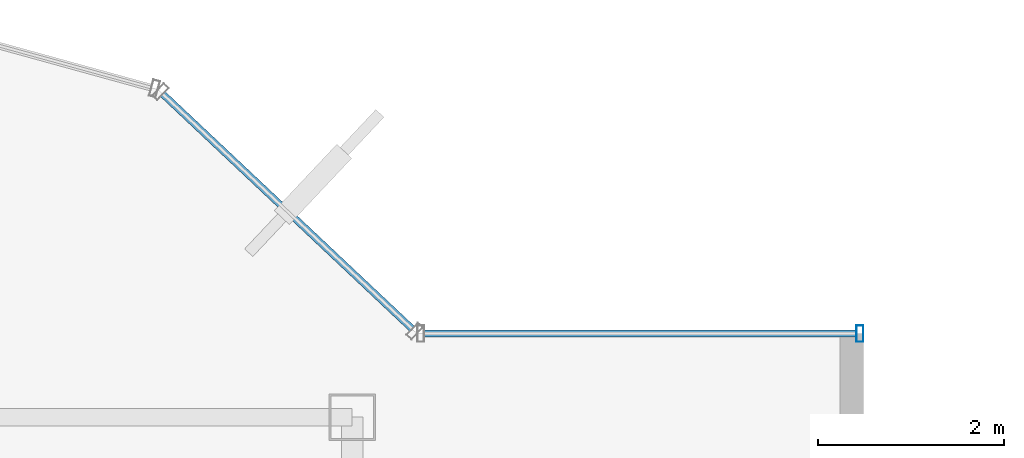
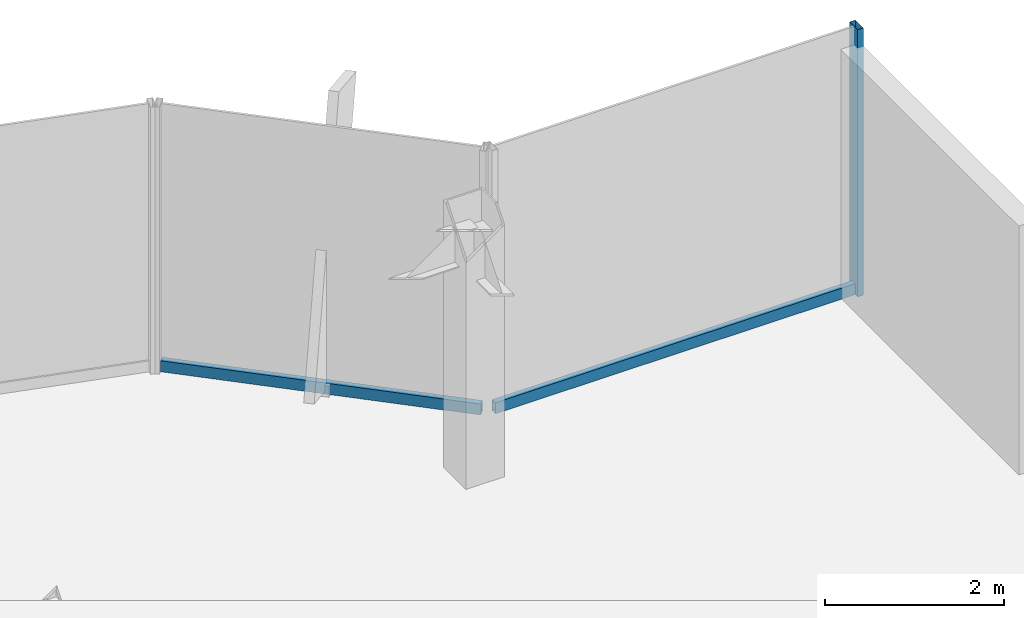
# One storey, part 15 of 22: 3 members, 2 elements without a shape of their own.
"""IFC4 building model written with IfcOpenShell, lengths in metres."""

from ifc_helpers import new_model, si_unit, derived_unit, direction, frame, origin, origin_2d, place, context, subcontext, project, spatial, hollow_rectangle, extrude, source, transform, mapped, material, material_profile, profile_set, type_object, element, aggregate, save


model = new_model("IFC4")

# Units and contexts
model_context = context("Model", 3, precision=1e-05, world=origin(), true_north=direction((0.0, 1.0)))
body_context = subcontext(model_context, "Body", "Model", "MODEL_VIEW")
ifc_project = project(units=[si_unit("LENGTHUNIT", "METRE"), si_unit("AREAUNIT", "SQUARE_METRE"), si_unit("VOLUMEUNIT", "CUBIC_METRE"), si_unit("PLANEANGLEUNIT", "RADIAN"), si_unit("MASSUNIT", "GRAM", prefix="KILO"), derived_unit("THERMALTRANSMITTANCEUNIT", [(si_unit("POWERUNIT", "WATT"), 1), (si_unit("LENGTHUNIT", "METRE"), -2), (si_unit("THERMODYNAMICTEMPERATUREUNIT", "KELVIN"), -1)])], contexts=[model_context])

# Site, building, storey
site_placement = place(None, origin())
site = spatial("IfcSite", under=ifc_project, at=site_placement, CompositionType="ELEMENT")
building_placement = place(site_placement, origin())
building = spatial("IfcBuilding", under=site, at=building_placement, Name="Skarnbrae Concourse Arena and Tower", CompositionType="ELEMENT")
storey_placement = place(building_placement, frame((0.0, 0.0, 192.25)))
storey = spatial("IfcBuildingStorey", under=building, at=storey_placement, Name="L49", CompositionType="ELEMENT", Elevation=192.25)

# Curtain wall, members
ifc_material = material(Name="Bronze anodised aluminium 6063-T6", Category="aluminium")
curtain_wall_type = type_object("IfcCurtainWallType", Name="CW-SYS-05-HIGHZONE", PredefinedType="USERDEFINED", material=ifc_material)
curtain_wall_1_placement = place(storey_placement, origin())
curtain_wall_1 = element("IfcCurtainWall", 1, at=curtain_wall_1_placement, inside=storey, type_object=curtain_wall_type, Name="L49 Unitised curtain wall CW-L49-E07", ObjectType="UNITISED CURTAIN WALL", PredefinedType="USERDEFINED")
ifc_material_profile_1 = material_profile(ifc_material, hollow_rectangle(XDim=0.074951171875, YDim=0.179931640625, WallThickness=0.00390625, at=origin_2d()), Name="ALU-MULL-75X180")
ifc_profile_set_1 = profile_set([ifc_material_profile_1], Name="Bronze anodised aluminium 6063-T6")
member_type_1 = type_object("IfcMemberType", Name="CWM-CW-05", PredefinedType="MULLION", material=ifc_profile_set_1)
shared_shape_1 = source(origin(), body_context, "Body", "SweptSolid", [
    extrude(hollow_rectangle(XDim=0.074951171875, YDim=0.179931640625, WallThickness=0.00390625, at=origin_2d()), origin(), (0.0, 0.0, 1.0), 3.64990234375),
])
member_1_placement = place(storey_placement, frame((38.96240234375, 35.300048828125, 0.0), z_axis=(0.0, 0.0, 1.0), x_axis=(-1.0, 0.0, 0.0)))
member_1 = element("IfcMember", 2, at=member_1_placement, type_object=member_type_1, Name="CW-L49-E07 Mullion 1", PredefinedType="MULLION", context=body_context, shape_type="MappedRepresentation", body=[
    mapped(shared_shape_1, transform((0.0, 0.0, 0.0))),
])
ifc_material_profile_2 = material_profile(ifc_material, hollow_rectangle(XDim=0.074951171875, YDim=0.14990234375, WallThickness=0.00390625, at=origin_2d()), Name="ALU-TRAN-75X150")
ifc_profile_set_2 = profile_set([ifc_material_profile_2], Name="Bronze anodised aluminium 6063-T6")
member_type_2 = type_object("IfcMemberType", Name="CWT-CW-05", PredefinedType="USERDEFINED", material=ifc_profile_set_2)
shared_shape_2 = source(origin(), body_context, "Body", "SweptSolid", [
    extrude(hollow_rectangle(XDim=0.074951171875, YDim=0.14990234375, WallThickness=0.00390625, at=origin_2d()), origin(), (0.0, 0.0, 1.0), 4.650146484375),
])
member_2_placement = place(storey_placement, frame((38.925048828125, 35.300048828125, 0.074951171875), z_axis=(-1.0, 0.0, 0.0), x_axis=(0.0, -1.0, 0.0)))
member_2 = element("IfcMember", 3, at=member_2_placement, type_object=member_type_2, Name="CW-L49-E07 Transom 1", ObjectType="TRANSOM", PredefinedType="USERDEFINED", context=body_context, shape_type="MappedRepresentation", body=[
    mapped(shared_shape_2, transform((0.0, 0.0, 0.0))),
])
aggregate(curtain_wall_1, [member_1, member_2])

# Curtain wall, member
curtain_wall_2_placement = place(storey_placement, origin())
curtain_wall_2 = element("IfcCurtainWall", 4, at=curtain_wall_2_placement, inside=storey, type_object=curtain_wall_type, Name="L49 Unitised curtain wall CW-L49-E08", ObjectType="UNITISED CURTAIN WALL", PredefinedType="USERDEFINED")
shared_shape_3 = source(origin(), body_context, "Body", "SweptSolid", [
    extrude(hollow_rectangle(XDim=0.074951171875, YDim=0.14990234375, WallThickness=0.00390625, at=origin_2d()), origin(), (0.0, 0.0, 1.0), 3.68212890625),
])
member_3_placement = place(storey_placement, frame((34.1455078125, 35.351318359375, 0.074951171875), z_axis=(-0.728133808476, 0.685435012933, 0.0), x_axis=(-0.685435012933, -0.728133808476, 0.0)))
member_3 = element("IfcMember", 5, at=member_3_placement, type_object=member_type_2, Name="CW-L49-E08 Transom 1", ObjectType="TRANSOM", PredefinedType="USERDEFINED", context=body_context, shape_type="MappedRepresentation", body=[
    mapped(shared_shape_3, transform((0.0, 0.0, 0.0))),
])
aggregate(curtain_wall_2, [member_3])

save(model, "model.ifc")
